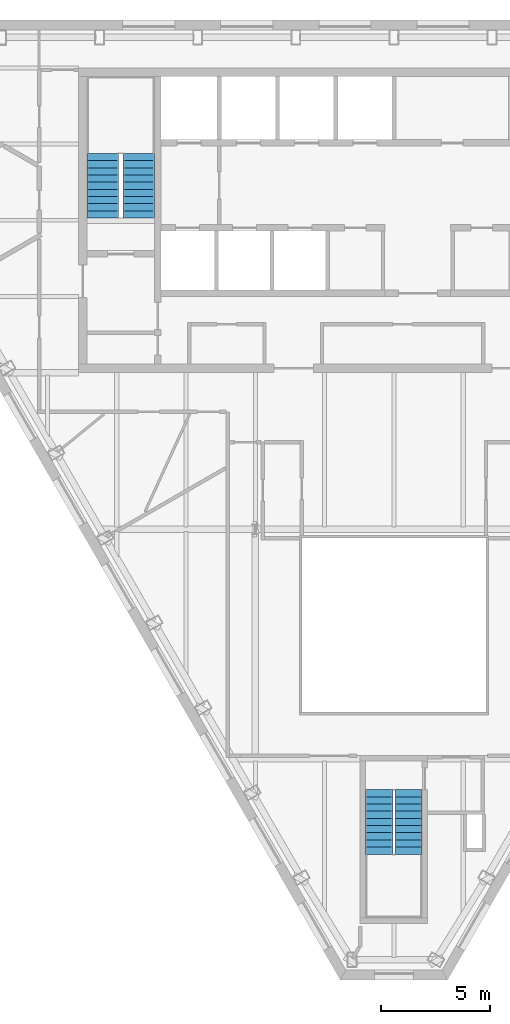
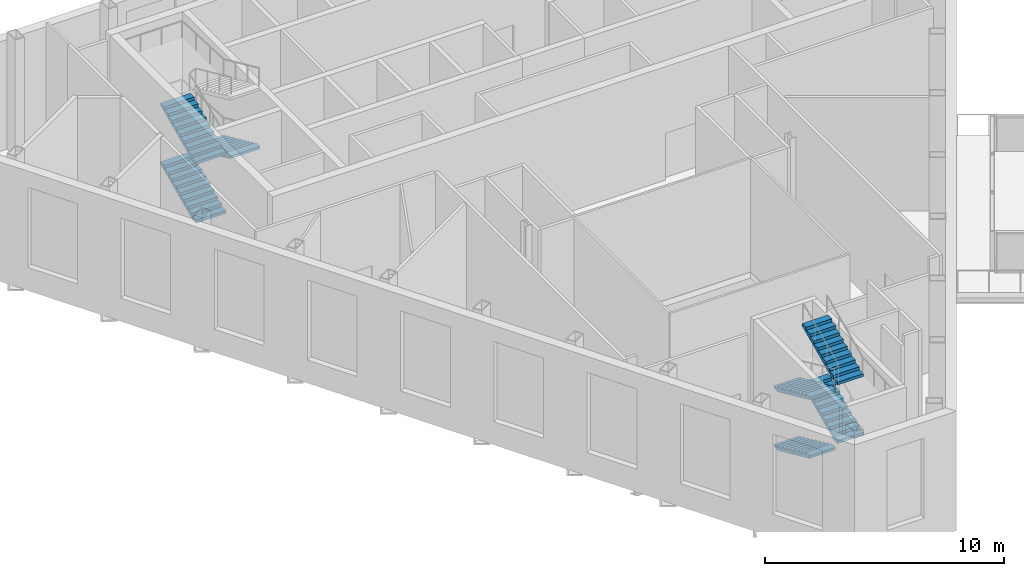
# One storey, part 9 of 11: 7 stair flights, 2 elements without a shape of their own.
"""IFC4 building model written with IfcOpenShell, lengths in metres."""

from ifc_helpers import new_model, si_unit, direction, frame, origin, place, context, subcontext, project, spatial, polygons, material, type_object, element, aggregate, save


model = new_model("IFC4")

# Units and contexts
model_context = context("Model", 3, precision=1e-05, world=origin(), true_north=direction((0.0, 1.0)))
body_context = subcontext(model_context, "Body", "Model", "MODEL_VIEW")
ifc_project = project(units=[si_unit("LENGTHUNIT", "METRE"), si_unit("AREAUNIT", "SQUARE_METRE"), si_unit("VOLUMEUNIT", "CUBIC_METRE"), si_unit("PLANEANGLEUNIT", "RADIAN"), si_unit("MASSUNIT", "GRAM", prefix="KILO")], contexts=[model_context])

# Site, building, storey
site_placement = place(None, origin())
site = spatial("IfcSite", under=ifc_project, at=site_placement, CompositionType="ELEMENT")
building_placement = place(site_placement, origin())
building = spatial("IfcBuilding", under=site, at=building_placement, Name="Njiva Tower", CompositionType="ELEMENT")
storey_placement = place(building_placement, frame((0.0, 0.0, 298.2)))
storey = spatial("IfcBuildingStorey", under=building, at=storey_placement, Name="L68", CompositionType="ELEMENT", Elevation=298.2)

# Stair, stair flights
ifc_material = material(Name="Concrete C40/50", Category="concrete")
stair_type_1 = type_object("IfcStairType", Name="ST1 Exit stair 1250", PredefinedType="HALF_TURN_STAIR", material=ifc_material)
stair_1_placement = place(storey_placement, origin())
stair_1 = element("IfcStair", 1, at=stair_1_placement, inside=storey, type_object=stair_type_1, Name="Stair C", PredefinedType="DOUBLE_RETURN_STAIR")
stair_flight_type_1 = type_object("IfcStairFlightType", Name="FL1 Stair flight 1250", PredefinedType="STRAIGHT", material=ifc_material)
stair_flight_1_placement = place(storey_placement, frame((-0.675, -15.16, 0.0), z_axis=(0.0, 0.0, 1.0), x_axis=(0.0, -1.0, 0.0)))
stair_flight_1 = element("IfcStairFlight", 2, at=stair_flight_1_placement, type_object=stair_flight_type_1, Name="ST-C flight 1", NumberOfRisers=10, NumberOfTreads=9, PredefinedType="STRAIGHT", RiserHeight=0.15, TreadLength=0.33, context=body_context, shape_type="Tessellation", body=[
    polygons([(0.0, 0.625, 0.0), (0.0, 0.3125, 0.0), (0.0, 0.0, 0.0), (0.0, -0.3125, 0.0), (0.0, -0.625, 0.0), (0.0, 0.625, 0.15), (0.0, 0.3125, 0.15), (0.0, 0.0, 0.15), (0.0, -0.3125, 0.15), (0.0, -0.625, 0.15), (0.33, 0.625, 0.15), (0.33, 0.3125, 0.15), (0.33, 0.0, 0.15), (0.33, -0.3125, 0.15), (0.33, -0.625, 0.15), (0.33, 0.625, 0.3), (0.33, 0.3125, 0.3), (0.33, 0.0, 0.3), (0.33, -0.3125, 0.3), (0.33, -0.625, 0.3), (0.66, 0.625, 0.3), (0.66, 0.3125, 0.3), (0.66, 0.0, 0.3), (0.66, -0.3125, 0.3), (0.66, -0.625, 0.3), (0.66, 0.625, 0.45), (0.66, 0.3125, 0.45), (0.66, 0.0, 0.45), (0.66, -0.3125, 0.45), (0.66, -0.625, 0.45), (0.99, 0.625, 0.45), (0.99, 0.3125, 0.45), (0.99, 0.0, 0.45), (0.99, -0.3125, 0.45), (0.99, -0.625, 0.45), (0.99, 0.625, 0.6), (0.99, 0.3125, 0.6), (0.99, 0.0, 0.6), (0.99, -0.3125, 0.6), (0.99, -0.625, 0.6), (1.32, 0.625, 0.6), (1.32, 0.3125, 0.6), (1.32, 0.0, 0.6), (1.32, -0.3125, 0.6), (1.32, -0.625, 0.6), (1.32, 0.625, 0.75), (1.32, 0.3125, 0.75), (1.32, 0.0, 0.75), (1.32, -0.3125, 0.75), (1.32, -0.625, 0.75), (1.65, 0.625, 0.75), (1.65, 0.3125, 0.75), (1.65, 0.0, 0.75), (1.65, -0.3125, 0.75), (1.65, -0.625, 0.75), (1.65, 0.625, 0.9), (1.65, 0.3125, 0.9), (1.65, 0.0, 0.9), (1.65, -0.3125, 0.9), (1.65, -0.625, 0.9), (1.98, 0.625, 0.9), (1.98, 0.3125, 0.9), (1.98, 0.0, 0.9), (1.98, -0.3125, 0.9), (1.98, -0.625, 0.9), (1.98, 0.625, 1.05), (1.98, 0.3125, 1.05), (1.98, 0.0, 1.05), (1.98, -0.3125, 1.05), (1.98, -0.625, 1.05), (2.31, 0.625, 1.05), (2.31, 0.3125, 1.05), (2.31, 0.0, 1.05), (2.31, -0.3125, 1.05), (2.31, -0.625, 1.05), (2.31, 0.625, 1.2), (2.31, 0.3125, 1.2), (2.31, 0.0, 1.2), (2.31, -0.3125, 1.2), (2.31, -0.625, 1.2), (2.64, 0.625, 1.2), (2.64, 0.3125, 1.2), (2.64, 0.0, 1.2), (2.64, -0.3125, 1.2), (2.64, -0.625, 1.2), (2.64, 0.625, 1.35), (2.64, 0.3125, 1.35), (2.64, 0.0, 1.35), (2.64, -0.3125, 1.35), (2.64, -0.625, 1.35), (2.97, 0.625, 1.35), (2.97, 0.3125, 1.35), (2.97, 0.0, 1.35), (2.97, -0.3125, 1.35), (2.97, -0.625, 1.35), (2.97, 0.625, 1.2182), (2.97, 0.3125, 1.2182), (2.97, 0.0, 1.2182), (2.97, -0.3125, 1.2182), (2.97, -0.625, 1.2182), (0.29, 0.625, 0.0), (0.29, 0.3125, 0.0), (0.29, 0.0, 0.0), (0.29, -0.3125, 0.0), (0.29, -0.625, 0.0)], [[[1, 6, 11, 16, 21, 26, 31, 36, 41, 46, 51, 56, 61, 66, 71, 76, 81, 86, 91, 96, 101]], [[105, 100, 95, 90, 85, 80, 75, 70, 65, 60, 55, 50, 45, 40, 35, 30, 25, 20, 15, 10, 5]], [[6, 1, 2, 7]], [[7, 2, 3, 8]], [[8, 3, 4, 9]], [[9, 4, 5, 10]], [[11, 6, 7, 12]], [[12, 7, 8, 13]], [[13, 8, 9, 14]], [[14, 9, 10, 15]], [[16, 11, 12, 17]], [[17, 12, 13, 18]], [[18, 13, 14, 19]], [[19, 14, 15, 20]], [[21, 16, 17, 22]], [[22, 17, 18, 23]], [[23, 18, 19, 24]], [[24, 19, 20, 25]], [[26, 21, 22, 27]], [[27, 22, 23, 28]], [[28, 23, 24, 29]], [[29, 24, 25, 30]], [[31, 26, 27, 32]], [[32, 27, 28, 33]], [[33, 28, 29, 34]], [[34, 29, 30, 35]], [[36, 31, 32, 37]], [[37, 32, 33, 38]], [[38, 33, 34, 39]], [[39, 34, 35, 40]], [[41, 36, 37, 42]], [[42, 37, 38, 43]], [[43, 38, 39, 44]], [[44, 39, 40, 45]], [[46, 41, 42, 47]], [[47, 42, 43, 48]], [[48, 43, 44, 49]], [[49, 44, 45, 50]], [[51, 46, 47, 52]], [[52, 47, 48, 53]], [[53, 48, 49, 54]], [[54, 49, 50, 55]], [[56, 51, 52, 57]], [[57, 52, 53, 58]], [[58, 53, 54, 59]], [[59, 54, 55, 60]], [[61, 56, 57, 62]], [[62, 57, 58, 63]], [[63, 58, 59, 64]], [[64, 59, 60, 65]], [[66, 61, 62, 67]], [[67, 62, 63, 68]], [[68, 63, 64, 69]], [[69, 64, 65, 70]], [[71, 66, 67, 72]], [[72, 67, 68, 73]], [[73, 68, 69, 74]], [[74, 69, 70, 75]], [[76, 71, 72, 77]], [[77, 72, 73, 78]], [[78, 73, 74, 79]], [[79, 74, 75, 80]], [[81, 76, 77, 82]], [[82, 77, 78, 83]], [[83, 78, 79, 84]], [[84, 79, 80, 85]], [[86, 81, 82, 87]], [[87, 82, 83, 88]], [[88, 83, 84, 89]], [[89, 84, 85, 90]], [[91, 86, 87, 92]], [[92, 87, 88, 93]], [[93, 88, 89, 94]], [[94, 89, 90, 95]], [[96, 91, 92, 97]], [[97, 92, 93, 98]], [[98, 93, 94, 99]], [[99, 94, 95, 100]], [[101, 96, 97, 102]], [[102, 97, 98, 103]], [[103, 98, 99, 104]], [[104, 99, 100, 105]], [[1, 101, 102, 2]], [[2, 102, 103, 3]], [[3, 103, 104, 4]], [[4, 104, 105, 5]]], closed=True),
])
stair_flight_2_placement = place(storey_placement, frame((0.675, -18.13, 1.5), z_axis=(0.0, 0.0, 1.0), x_axis=(0.0, 1.0, 0.0)))
stair_flight_2 = element("IfcStairFlight", 3, at=stair_flight_2_placement, type_object=stair_flight_type_1, Name="ST-C flight 2", NumberOfRisers=10, NumberOfTreads=9, PredefinedType="STRAIGHT", RiserHeight=0.15, TreadLength=0.33, context=body_context, shape_type="Tessellation", body=[
    polygons([(0.0, 0.625, 0.0), (0.0, 0.3125, 0.0), (0.0, 0.0, 0.0), (0.0, -0.3125, 0.0), (0.0, -0.625, 0.0), (0.0, 0.625, 0.15), (0.0, 0.3125, 0.15), (0.0, 0.0, 0.15), (0.0, -0.3125, 0.15), (0.0, -0.625, 0.15), (0.33, 0.625, 0.15), (0.33, 0.3125, 0.15), (0.33, 0.0, 0.15), (0.33, -0.3125, 0.15), (0.33, -0.625, 0.15), (0.33, 0.625, 0.3), (0.33, 0.3125, 0.3), (0.33, 0.0, 0.3), (0.33, -0.3125, 0.3), (0.33, -0.625, 0.3), (0.66, 0.625, 0.3), (0.66, 0.3125, 0.3), (0.66, 0.0, 0.3), (0.66, -0.3125, 0.3), (0.66, -0.625, 0.3), (0.66, 0.625, 0.45), (0.66, 0.3125, 0.45), (0.66, 0.0, 0.45), (0.66, -0.3125, 0.45), (0.66, -0.625, 0.45), (0.99, 0.625, 0.45), (0.99, 0.3125, 0.45), (0.99, 0.0, 0.45), (0.99, -0.3125, 0.45), (0.99, -0.625, 0.45), (0.99, 0.625, 0.6), (0.99, 0.3125, 0.6), (0.99, 0.0, 0.6), (0.99, -0.3125, 0.6), (0.99, -0.625, 0.6), (1.32, 0.625, 0.6), (1.32, 0.3125, 0.6), (1.32, 0.0, 0.6), (1.32, -0.3125, 0.6), (1.32, -0.625, 0.6), (1.32, 0.625, 0.75), (1.32, 0.3125, 0.75), (1.32, 0.0, 0.75), (1.32, -0.3125, 0.75), (1.32, -0.625, 0.75), (1.65, 0.625, 0.75), (1.65, 0.3125, 0.75), (1.65, 0.0, 0.75), (1.65, -0.3125, 0.75), (1.65, -0.625, 0.75), (1.65, 0.625, 0.9), (1.65, 0.3125, 0.9), (1.65, 0.0, 0.9), (1.65, -0.3125, 0.9), (1.65, -0.625, 0.9), (1.98, 0.625, 0.9), (1.98, 0.3125, 0.9), (1.98, 0.0, 0.9), (1.98, -0.3125, 0.9), (1.98, -0.625, 0.9), (1.98, 0.625, 1.05), (1.98, 0.3125, 1.05), (1.98, 0.0, 1.05), (1.98, -0.3125, 1.05), (1.98, -0.625, 1.05), (2.31, 0.625, 1.05), (2.31, 0.3125, 1.05), (2.31, 0.0, 1.05), (2.31, -0.3125, 1.05), (2.31, -0.625, 1.05), (2.31, 0.625, 1.2), (2.31, 0.3125, 1.2), (2.31, 0.0, 1.2), (2.31, -0.3125, 1.2), (2.31, -0.625, 1.2), (2.64, 0.625, 1.2), (2.64, 0.3125, 1.2), (2.64, 0.0, 1.2), (2.64, -0.3125, 1.2), (2.64, -0.625, 1.2), (2.64, 0.625, 1.35), (2.64, 0.3125, 1.35), (2.64, 0.0, 1.35), (2.64, -0.3125, 1.35), (2.64, -0.625, 1.35), (2.97, 0.625, 1.35), (2.97, 0.3125, 1.35), (2.97, 0.0, 1.35), (2.97, -0.3125, 1.35), (2.97, -0.625, 1.35), (2.97, 0.625, 1.2182), (2.97, 0.3125, 1.2182), (2.97, 0.0, 1.2182), (2.97, -0.3125, 1.2182), (2.97, -0.625, 1.2182), (0.29, 0.625, 0.0), (0.29, 0.3125, 0.0), (0.29, 0.0, 0.0), (0.29, -0.3125, 0.0), (0.29, -0.625, 0.0)], [[[1, 6, 11, 16, 21, 26, 31, 36, 41, 46, 51, 56, 61, 66, 71, 76, 81, 86, 91, 96, 101]], [[105, 100, 95, 90, 85, 80, 75, 70, 65, 60, 55, 50, 45, 40, 35, 30, 25, 20, 15, 10, 5]], [[6, 1, 2, 7]], [[7, 2, 3, 8]], [[8, 3, 4, 9]], [[9, 4, 5, 10]], [[11, 6, 7, 12]], [[12, 7, 8, 13]], [[13, 8, 9, 14]], [[14, 9, 10, 15]], [[16, 11, 12, 17]], [[17, 12, 13, 18]], [[18, 13, 14, 19]], [[19, 14, 15, 20]], [[21, 16, 17, 22]], [[22, 17, 18, 23]], [[23, 18, 19, 24]], [[24, 19, 20, 25]], [[26, 21, 22, 27]], [[27, 22, 23, 28]], [[28, 23, 24, 29]], [[29, 24, 25, 30]], [[31, 26, 27, 32]], [[32, 27, 28, 33]], [[33, 28, 29, 34]], [[34, 29, 30, 35]], [[36, 31, 32, 37]], [[37, 32, 33, 38]], [[38, 33, 34, 39]], [[39, 34, 35, 40]], [[41, 36, 37, 42]], [[42, 37, 38, 43]], [[43, 38, 39, 44]], [[44, 39, 40, 45]], [[46, 41, 42, 47]], [[47, 42, 43, 48]], [[48, 43, 44, 49]], [[49, 44, 45, 50]], [[51, 46, 47, 52]], [[52, 47, 48, 53]], [[53, 48, 49, 54]], [[54, 49, 50, 55]], [[56, 51, 52, 57]], [[57, 52, 53, 58]], [[58, 53, 54, 59]], [[59, 54, 55, 60]], [[61, 56, 57, 62]], [[62, 57, 58, 63]], [[63, 58, 59, 64]], [[64, 59, 60, 65]], [[66, 61, 62, 67]], [[67, 62, 63, 68]], [[68, 63, 64, 69]], [[69, 64, 65, 70]], [[71, 66, 67, 72]], [[72, 67, 68, 73]], [[73, 68, 69, 74]], [[74, 69, 70, 75]], [[76, 71, 72, 77]], [[77, 72, 73, 78]], [[78, 73, 74, 79]], [[79, 74, 75, 80]], [[81, 76, 77, 82]], [[82, 77, 78, 83]], [[83, 78, 79, 84]], [[84, 79, 80, 85]], [[86, 81, 82, 87]], [[87, 82, 83, 88]], [[88, 83, 84, 89]], [[89, 84, 85, 90]], [[91, 86, 87, 92]], [[92, 87, 88, 93]], [[93, 88, 89, 94]], [[94, 89, 90, 95]], [[96, 91, 92, 97]], [[97, 92, 93, 98]], [[98, 93, 94, 99]], [[99, 94, 95, 100]], [[101, 96, 97, 102]], [[102, 97, 98, 103]], [[103, 98, 99, 104]], [[104, 99, 100, 105]], [[1, 101, 102, 2]], [[2, 102, 103, 3]], [[3, 103, 104, 4]], [[4, 104, 105, 5]]], closed=True),
])
stair_flight_3_placement = place(storey_placement, frame((-0.675, -15.16, 3.0), z_axis=(0.0, 0.0, 1.0), x_axis=(0.0, -1.0, 0.0)))
stair_flight_3 = element("IfcStairFlight", 4, at=stair_flight_3_placement, type_object=stair_flight_type_1, Name="ST-C flight 3", NumberOfRisers=10, NumberOfTreads=9, PredefinedType="STRAIGHT", RiserHeight=0.15, TreadLength=0.33, context=body_context, shape_type="Tessellation", body=[
    polygons([(0.0, 0.625, 0.0), (0.0, 0.3125, 0.0), (0.0, 0.0, 0.0), (0.0, -0.3125, 0.0), (0.0, -0.625, 0.0), (0.0, 0.625, 0.15), (0.0, 0.3125, 0.15), (0.0, 0.0, 0.15), (0.0, -0.3125, 0.15), (0.0, -0.625, 0.15), (0.33, 0.625, 0.15), (0.33, 0.3125, 0.15), (0.33, 0.0, 0.15), (0.33, -0.3125, 0.15), (0.33, -0.625, 0.15), (0.33, 0.625, 0.3), (0.33, 0.3125, 0.3), (0.33, 0.0, 0.3), (0.33, -0.3125, 0.3), (0.33, -0.625, 0.3), (0.66, 0.625, 0.3), (0.66, 0.3125, 0.3), (0.66, 0.0, 0.3), (0.66, -0.3125, 0.3), (0.66, -0.625, 0.3), (0.66, 0.625, 0.45), (0.66, 0.3125, 0.45), (0.66, 0.0, 0.45), (0.66, -0.3125, 0.45), (0.66, -0.625, 0.45), (0.99, 0.625, 0.45), (0.99, 0.3125, 0.45), (0.99, 0.0, 0.45), (0.99, -0.3125, 0.45), (0.99, -0.625, 0.45), (0.99, 0.625, 0.6), (0.99, 0.3125, 0.6), (0.99, 0.0, 0.6), (0.99, -0.3125, 0.6), (0.99, -0.625, 0.6), (1.32, 0.625, 0.6), (1.32, 0.3125, 0.6), (1.32, 0.0, 0.6), (1.32, -0.3125, 0.6), (1.32, -0.625, 0.6), (1.32, 0.625, 0.75), (1.32, 0.3125, 0.75), (1.32, 0.0, 0.75), (1.32, -0.3125, 0.75), (1.32, -0.625, 0.75), (1.65, 0.625, 0.75), (1.65, 0.3125, 0.75), (1.65, 0.0, 0.75), (1.65, -0.3125, 0.75), (1.65, -0.625, 0.75), (1.65, 0.625, 0.9), (1.65, 0.3125, 0.9), (1.65, 0.0, 0.9), (1.65, -0.3125, 0.9), (1.65, -0.625, 0.9), (1.98, 0.625, 0.9), (1.98, 0.3125, 0.9), (1.98, 0.0, 0.9), (1.98, -0.3125, 0.9), (1.98, -0.625, 0.9), (1.98, 0.625, 1.05), (1.98, 0.3125, 1.05), (1.98, 0.0, 1.05), (1.98, -0.3125, 1.05), (1.98, -0.625, 1.05), (2.31, 0.625, 1.05), (2.31, 0.3125, 1.05), (2.31, 0.0, 1.05), (2.31, -0.3125, 1.05), (2.31, -0.625, 1.05), (2.31, 0.625, 1.2), (2.31, 0.3125, 1.2), (2.31, 0.0, 1.2), (2.31, -0.3125, 1.2), (2.31, -0.625, 1.2), (2.64, 0.625, 1.2), (2.64, 0.3125, 1.2), (2.64, 0.0, 1.2), (2.64, -0.3125, 1.2), (2.64, -0.625, 1.2), (2.64, 0.625, 1.35), (2.64, 0.3125, 1.35), (2.64, 0.0, 1.35), (2.64, -0.3125, 1.35), (2.64, -0.625, 1.35), (2.97, 0.625, 1.35), (2.97, 0.3125, 1.35), (2.97, 0.0, 1.35), (2.97, -0.3125, 1.35), (2.97, -0.625, 1.35), (2.97, 0.625, 1.2182), (2.97, 0.3125, 1.2182), (2.97, 0.0, 1.2182), (2.97, -0.3125, 1.2182), (2.97, -0.625, 1.2182), (0.29, 0.625, 0.0), (0.29, 0.3125, 0.0), (0.29, 0.0, 0.0), (0.29, -0.3125, 0.0), (0.29, -0.625, 0.0)], [[[1, 6, 11, 16, 21, 26, 31, 36, 41, 46, 51, 56, 61, 66, 71, 76, 81, 86, 91, 96, 101]], [[105, 100, 95, 90, 85, 80, 75, 70, 65, 60, 55, 50, 45, 40, 35, 30, 25, 20, 15, 10, 5]], [[6, 1, 2, 7]], [[7, 2, 3, 8]], [[8, 3, 4, 9]], [[9, 4, 5, 10]], [[11, 6, 7, 12]], [[12, 7, 8, 13]], [[13, 8, 9, 14]], [[14, 9, 10, 15]], [[16, 11, 12, 17]], [[17, 12, 13, 18]], [[18, 13, 14, 19]], [[19, 14, 15, 20]], [[21, 16, 17, 22]], [[22, 17, 18, 23]], [[23, 18, 19, 24]], [[24, 19, 20, 25]], [[26, 21, 22, 27]], [[27, 22, 23, 28]], [[28, 23, 24, 29]], [[29, 24, 25, 30]], [[31, 26, 27, 32]], [[32, 27, 28, 33]], [[33, 28, 29, 34]], [[34, 29, 30, 35]], [[36, 31, 32, 37]], [[37, 32, 33, 38]], [[38, 33, 34, 39]], [[39, 34, 35, 40]], [[41, 36, 37, 42]], [[42, 37, 38, 43]], [[43, 38, 39, 44]], [[44, 39, 40, 45]], [[46, 41, 42, 47]], [[47, 42, 43, 48]], [[48, 43, 44, 49]], [[49, 44, 45, 50]], [[51, 46, 47, 52]], [[52, 47, 48, 53]], [[53, 48, 49, 54]], [[54, 49, 50, 55]], [[56, 51, 52, 57]], [[57, 52, 53, 58]], [[58, 53, 54, 59]], [[59, 54, 55, 60]], [[61, 56, 57, 62]], [[62, 57, 58, 63]], [[63, 58, 59, 64]], [[64, 59, 60, 65]], [[66, 61, 62, 67]], [[67, 62, 63, 68]], [[68, 63, 64, 69]], [[69, 64, 65, 70]], [[71, 66, 67, 72]], [[72, 67, 68, 73]], [[73, 68, 69, 74]], [[74, 69, 70, 75]], [[76, 71, 72, 77]], [[77, 72, 73, 78]], [[78, 73, 74, 79]], [[79, 74, 75, 80]], [[81, 76, 77, 82]], [[82, 77, 78, 83]], [[83, 78, 79, 84]], [[84, 79, 80, 85]], [[86, 81, 82, 87]], [[87, 82, 83, 88]], [[88, 83, 84, 89]], [[89, 84, 85, 90]], [[91, 86, 87, 92]], [[92, 87, 88, 93]], [[93, 88, 89, 94]], [[94, 89, 90, 95]], [[96, 91, 92, 97]], [[97, 92, 93, 98]], [[98, 93, 94, 99]], [[99, 94, 95, 100]], [[101, 96, 97, 102]], [[102, 97, 98, 103]], [[103, 98, 99, 104]], [[104, 99, 100, 105]], [[1, 101, 102, 2]], [[2, 102, 103, 3]], [[3, 103, 104, 4]], [[4, 104, 105, 5]]], closed=True),
])
stair_flight_4_placement = place(storey_placement, frame((0.675, -18.13, 4.5), z_axis=(0.0, 0.0, 1.0), x_axis=(0.0, 1.0, 0.0)))
stair_flight_4 = element("IfcStairFlight", 5, at=stair_flight_4_placement, type_object=stair_flight_type_1, Name="ST-C flight 4", NumberOfRisers=10, NumberOfTreads=9, PredefinedType="STRAIGHT", RiserHeight=0.15, TreadLength=0.33, context=body_context, shape_type="Tessellation", body=[
    polygons([(0.0, 0.625, 0.0), (0.0, 0.3125, 0.0), (0.0, 0.0, 0.0), (0.0, -0.3125, 0.0), (0.0, -0.625, 0.0), (0.0, 0.625, 0.15), (0.0, 0.3125, 0.15), (0.0, 0.0, 0.15), (0.0, -0.3125, 0.15), (0.0, -0.625, 0.15), (0.33, 0.625, 0.15), (0.33, 0.3125, 0.15), (0.33, 0.0, 0.15), (0.33, -0.3125, 0.15), (0.33, -0.625, 0.15), (0.33, 0.625, 0.3), (0.33, 0.3125, 0.3), (0.33, 0.0, 0.3), (0.33, -0.3125, 0.3), (0.33, -0.625, 0.3), (0.66, 0.625, 0.3), (0.66, 0.3125, 0.3), (0.66, 0.0, 0.3), (0.66, -0.3125, 0.3), (0.66, -0.625, 0.3), (0.66, 0.625, 0.45), (0.66, 0.3125, 0.45), (0.66, 0.0, 0.45), (0.66, -0.3125, 0.45), (0.66, -0.625, 0.45), (0.99, 0.625, 0.45), (0.99, 0.3125, 0.45), (0.99, 0.0, 0.45), (0.99, -0.3125, 0.45), (0.99, -0.625, 0.45), (0.99, 0.625, 0.6), (0.99, 0.3125, 0.6), (0.99, 0.0, 0.6), (0.99, -0.3125, 0.6), (0.99, -0.625, 0.6), (1.32, 0.625, 0.6), (1.32, 0.3125, 0.6), (1.32, 0.0, 0.6), (1.32, -0.3125, 0.6), (1.32, -0.625, 0.6), (1.32, 0.625, 0.75), (1.32, 0.3125, 0.75), (1.32, 0.0, 0.75), (1.32, -0.3125, 0.75), (1.32, -0.625, 0.75), (1.65, 0.625, 0.75), (1.65, 0.3125, 0.75), (1.65, 0.0, 0.75), (1.65, -0.3125, 0.75), (1.65, -0.625, 0.75), (1.65, 0.625, 0.9), (1.65, 0.3125, 0.9), (1.65, 0.0, 0.9), (1.65, -0.3125, 0.9), (1.65, -0.625, 0.9), (1.98, 0.625, 0.9), (1.98, 0.3125, 0.9), (1.98, 0.0, 0.9), (1.98, -0.3125, 0.9), (1.98, -0.625, 0.9), (1.98, 0.625, 1.05), (1.98, 0.3125, 1.05), (1.98, 0.0, 1.05), (1.98, -0.3125, 1.05), (1.98, -0.625, 1.05), (2.31, 0.625, 1.05), (2.31, 0.3125, 1.05), (2.31, 0.0, 1.05), (2.31, -0.3125, 1.05), (2.31, -0.625, 1.05), (2.31, 0.625, 1.2), (2.31, 0.3125, 1.2), (2.31, 0.0, 1.2), (2.31, -0.3125, 1.2), (2.31, -0.625, 1.2), (2.64, 0.625, 1.2), (2.64, 0.3125, 1.2), (2.64, 0.0, 1.2), (2.64, -0.3125, 1.2), (2.64, -0.625, 1.2), (2.64, 0.625, 1.35), (2.64, 0.3125, 1.35), (2.64, 0.0, 1.35), (2.64, -0.3125, 1.35), (2.64, -0.625, 1.35), (2.97, 0.625, 1.35), (2.97, 0.3125, 1.35), (2.97, 0.0, 1.35), (2.97, -0.3125, 1.35), (2.97, -0.625, 1.35), (2.97, 0.625, 1.2182), (2.97, 0.3125, 1.2182), (2.97, 0.0, 1.2182), (2.97, -0.3125, 1.2182), (2.97, -0.625, 1.2182), (0.29, 0.625, 0.0), (0.29, 0.3125, 0.0), (0.29, 0.0, 0.0), (0.29, -0.3125, 0.0), (0.29, -0.625, 0.0)], [[[1, 6, 11, 16, 21, 26, 31, 36, 41, 46, 51, 56, 61, 66, 71, 76, 81, 86, 91, 96, 101]], [[105, 100, 95, 90, 85, 80, 75, 70, 65, 60, 55, 50, 45, 40, 35, 30, 25, 20, 15, 10, 5]], [[6, 1, 2, 7]], [[7, 2, 3, 8]], [[8, 3, 4, 9]], [[9, 4, 5, 10]], [[11, 6, 7, 12]], [[12, 7, 8, 13]], [[13, 8, 9, 14]], [[14, 9, 10, 15]], [[16, 11, 12, 17]], [[17, 12, 13, 18]], [[18, 13, 14, 19]], [[19, 14, 15, 20]], [[21, 16, 17, 22]], [[22, 17, 18, 23]], [[23, 18, 19, 24]], [[24, 19, 20, 25]], [[26, 21, 22, 27]], [[27, 22, 23, 28]], [[28, 23, 24, 29]], [[29, 24, 25, 30]], [[31, 26, 27, 32]], [[32, 27, 28, 33]], [[33, 28, 29, 34]], [[34, 29, 30, 35]], [[36, 31, 32, 37]], [[37, 32, 33, 38]], [[38, 33, 34, 39]], [[39, 34, 35, 40]], [[41, 36, 37, 42]], [[42, 37, 38, 43]], [[43, 38, 39, 44]], [[44, 39, 40, 45]], [[46, 41, 42, 47]], [[47, 42, 43, 48]], [[48, 43, 44, 49]], [[49, 44, 45, 50]], [[51, 46, 47, 52]], [[52, 47, 48, 53]], [[53, 48, 49, 54]], [[54, 49, 50, 55]], [[56, 51, 52, 57]], [[57, 52, 53, 58]], [[58, 53, 54, 59]], [[59, 54, 55, 60]], [[61, 56, 57, 62]], [[62, 57, 58, 63]], [[63, 58, 59, 64]], [[64, 59, 60, 65]], [[66, 61, 62, 67]], [[67, 62, 63, 68]], [[68, 63, 64, 69]], [[69, 64, 65, 70]], [[71, 66, 67, 72]], [[72, 67, 68, 73]], [[73, 68, 69, 74]], [[74, 69, 70, 75]], [[76, 71, 72, 77]], [[77, 72, 73, 78]], [[78, 73, 74, 79]], [[79, 74, 75, 80]], [[81, 76, 77, 82]], [[82, 77, 78, 83]], [[83, 78, 79, 84]], [[84, 79, 80, 85]], [[86, 81, 82, 87]], [[87, 82, 83, 88]], [[88, 83, 84, 89]], [[89, 84, 85, 90]], [[91, 86, 87, 92]], [[92, 87, 88, 93]], [[93, 88, 89, 94]], [[94, 89, 90, 95]], [[96, 91, 92, 97]], [[97, 92, 93, 98]], [[98, 93, 94, 99]], [[99, 94, 95, 100]], [[101, 96, 97, 102]], [[102, 97, 98, 103]], [[103, 98, 99, 104]], [[104, 99, 100, 105]], [[1, 101, 102, 2]], [[2, 102, 103, 3]], [[3, 103, 104, 4]], [[4, 104, 105, 5]]], closed=True),
])
aggregate(stair_1, [stair_flight_1, stair_flight_2, stair_flight_3, stair_flight_4])

stair_type_2 = type_object("IfcStairType", Name="ST3 Exit stair 1450", PredefinedType="HALF_TURN_STAIR", material=ifc_material)
stair_2_placement = place(storey_placement, origin())
stair_2 = element("IfcStair", 6, at=stair_2_placement, inside=storey, type_object=stair_type_2, Name="Stair A", PredefinedType="DOUBLE_RETURN_STAIR")
stair_flight_type_2 = type_object("IfcStairFlightType", Name="FL3 Stair flight 1450", PredefinedType="STRAIGHT", material=ifc_material)
stair_flight_5_placement = place(storey_placement, frame((-13.375, 11.1, 0.0), z_axis=(0.0, 0.0, 1.0), x_axis=(0.0, 1.0, 0.0)))
stair_flight_5 = element("IfcStairFlight", 7, at=stair_flight_5_placement, type_object=stair_flight_type_2, Name="ST-A flight 1", NumberOfRisers=10, NumberOfTreads=9, PredefinedType="STRAIGHT", RiserHeight=0.15, TreadLength=0.33, context=body_context, shape_type="Tessellation", body=[
    polygons([(0.0, 0.725, 0.0), (0.0, 0.3625, 0.0), (0.0, 0.0, 0.0), (0.0, -0.3625, 0.0), (0.0, -0.725, 0.0), (0.0, 0.725, 0.15), (0.0, 0.3625, 0.15), (0.0, 0.0, 0.15), (0.0, -0.3625, 0.15), (0.0, -0.725, 0.15), (0.33, 0.725, 0.15), (0.33, 0.3625, 0.15), (0.33, 0.0, 0.15), (0.33, -0.3625, 0.15), (0.33, -0.725, 0.15), (0.33, 0.725, 0.3), (0.33, 0.3625, 0.3), (0.33, 0.0, 0.3), (0.33, -0.3625, 0.3), (0.33, -0.725, 0.3), (0.66, 0.725, 0.3), (0.66, 0.3625, 0.3), (0.66, 0.0, 0.3), (0.66, -0.3625, 0.3), (0.66, -0.725, 0.3), (0.66, 0.725, 0.45), (0.66, 0.3625, 0.45), (0.66, 0.0, 0.45), (0.66, -0.3625, 0.45), (0.66, -0.725, 0.45), (0.99, 0.725, 0.45), (0.99, 0.3625, 0.45), (0.99, 0.0, 0.45), (0.99, -0.3625, 0.45), (0.99, -0.725, 0.45), (0.99, 0.725, 0.6), (0.99, 0.3625, 0.6), (0.99, 0.0, 0.6), (0.99, -0.3625, 0.6), (0.99, -0.725, 0.6), (1.32, 0.725, 0.6), (1.32, 0.3625, 0.6), (1.32, 0.0, 0.6), (1.32, -0.3625, 0.6), (1.32, -0.725, 0.6), (1.32, 0.725, 0.75), (1.32, 0.3625, 0.75), (1.32, 0.0, 0.75), (1.32, -0.3625, 0.75), (1.32, -0.725, 0.75), (1.65, 0.725, 0.75), (1.65, 0.3625, 0.75), (1.65, 0.0, 0.75), (1.65, -0.3625, 0.75), (1.65, -0.725, 0.75), (1.65, 0.725, 0.9), (1.65, 0.3625, 0.9), (1.65, 0.0, 0.9), (1.65, -0.3625, 0.9), (1.65, -0.725, 0.9), (1.98, 0.725, 0.9), (1.98, 0.3625, 0.9), (1.98, 0.0, 0.9), (1.98, -0.3625, 0.9), (1.98, -0.725, 0.9), (1.98, 0.725, 1.05), (1.98, 0.3625, 1.05), (1.98, 0.0, 1.05), (1.98, -0.3625, 1.05), (1.98, -0.725, 1.05), (2.31, 0.725, 1.05), (2.31, 0.3625, 1.05), (2.31, 0.0, 1.05), (2.31, -0.3625, 1.05), (2.31, -0.725, 1.05), (2.31, 0.725, 1.2), (2.31, 0.3625, 1.2), (2.31, 0.0, 1.2), (2.31, -0.3625, 1.2), (2.31, -0.725, 1.2), (2.64, 0.725, 1.2), (2.64, 0.3625, 1.2), (2.64, 0.0, 1.2), (2.64, -0.3625, 1.2), (2.64, -0.725, 1.2), (2.64, 0.725, 1.35), (2.64, 0.3625, 1.35), (2.64, 0.0, 1.35), (2.64, -0.3625, 1.35), (2.64, -0.725, 1.35), (2.97, 0.725, 1.35), (2.97, 0.3625, 1.35), (2.97, 0.0, 1.35), (2.97, -0.3625, 1.35), (2.97, -0.725, 1.35), (2.97, 0.725, 1.2182), (2.97, 0.3625, 1.2182), (2.97, 0.0, 1.2182), (2.97, -0.3625, 1.2182), (2.97, -0.725, 1.2182), (0.29, 0.725, 0.0), (0.29, 0.3625, 0.0), (0.29, 0.0, 0.0), (0.29, -0.3625, 0.0), (0.29, -0.725, 0.0)], [[[1, 6, 11, 16, 21, 26, 31, 36, 41, 46, 51, 56, 61, 66, 71, 76, 81, 86, 91, 96, 101]], [[105, 100, 95, 90, 85, 80, 75, 70, 65, 60, 55, 50, 45, 40, 35, 30, 25, 20, 15, 10, 5]], [[6, 1, 2, 7]], [[7, 2, 3, 8]], [[8, 3, 4, 9]], [[9, 4, 5, 10]], [[11, 6, 7, 12]], [[12, 7, 8, 13]], [[13, 8, 9, 14]], [[14, 9, 10, 15]], [[16, 11, 12, 17]], [[17, 12, 13, 18]], [[18, 13, 14, 19]], [[19, 14, 15, 20]], [[21, 16, 17, 22]], [[22, 17, 18, 23]], [[23, 18, 19, 24]], [[24, 19, 20, 25]], [[26, 21, 22, 27]], [[27, 22, 23, 28]], [[28, 23, 24, 29]], [[29, 24, 25, 30]], [[31, 26, 27, 32]], [[32, 27, 28, 33]], [[33, 28, 29, 34]], [[34, 29, 30, 35]], [[36, 31, 32, 37]], [[37, 32, 33, 38]], [[38, 33, 34, 39]], [[39, 34, 35, 40]], [[41, 36, 37, 42]], [[42, 37, 38, 43]], [[43, 38, 39, 44]], [[44, 39, 40, 45]], [[46, 41, 42, 47]], [[47, 42, 43, 48]], [[48, 43, 44, 49]], [[49, 44, 45, 50]], [[51, 46, 47, 52]], [[52, 47, 48, 53]], [[53, 48, 49, 54]], [[54, 49, 50, 55]], [[56, 51, 52, 57]], [[57, 52, 53, 58]], [[58, 53, 54, 59]], [[59, 54, 55, 60]], [[61, 56, 57, 62]], [[62, 57, 58, 63]], [[63, 58, 59, 64]], [[64, 59, 60, 65]], [[66, 61, 62, 67]], [[67, 62, 63, 68]], [[68, 63, 64, 69]], [[69, 64, 65, 70]], [[71, 66, 67, 72]], [[72, 67, 68, 73]], [[73, 68, 69, 74]], [[74, 69, 70, 75]], [[76, 71, 72, 77]], [[77, 72, 73, 78]], [[78, 73, 74, 79]], [[79, 74, 75, 80]], [[81, 76, 77, 82]], [[82, 77, 78, 83]], [[83, 78, 79, 84]], [[84, 79, 80, 85]], [[86, 81, 82, 87]], [[87, 82, 83, 88]], [[88, 83, 84, 89]], [[89, 84, 85, 90]], [[91, 86, 87, 92]], [[92, 87, 88, 93]], [[93, 88, 89, 94]], [[94, 89, 90, 95]], [[96, 91, 92, 97]], [[97, 92, 93, 98]], [[98, 93, 94, 99]], [[99, 94, 95, 100]], [[101, 96, 97, 102]], [[102, 97, 98, 103]], [[103, 98, 99, 104]], [[104, 99, 100, 105]], [[1, 101, 102, 2]], [[2, 102, 103, 3]], [[3, 103, 104, 4]], [[4, 104, 105, 5]]], closed=True),
])
stair_flight_6_placement = place(storey_placement, frame((-11.725, 14.07, 1.5), z_axis=(0.0, 0.0, 1.0), x_axis=(0.0, -1.0, 0.0)))
stair_flight_6 = element("IfcStairFlight", 8, at=stair_flight_6_placement, type_object=stair_flight_type_2, Name="ST-A flight 2", NumberOfRisers=10, NumberOfTreads=9, PredefinedType="STRAIGHT", RiserHeight=0.15, TreadLength=0.33, context=body_context, shape_type="Tessellation", body=[
    polygons([(0.0, 0.725, 0.0), (0.0, 0.3625, 0.0), (0.0, 0.0, 0.0), (0.0, -0.3625, 0.0), (0.0, -0.725, 0.0), (0.0, 0.725, 0.15), (0.0, 0.3625, 0.15), (0.0, 0.0, 0.15), (0.0, -0.3625, 0.15), (0.0, -0.725, 0.15), (0.33, 0.725, 0.15), (0.33, 0.3625, 0.15), (0.33, 0.0, 0.15), (0.33, -0.3625, 0.15), (0.33, -0.725, 0.15), (0.33, 0.725, 0.3), (0.33, 0.3625, 0.3), (0.33, 0.0, 0.3), (0.33, -0.3625, 0.3), (0.33, -0.725, 0.3), (0.66, 0.725, 0.3), (0.66, 0.3625, 0.3), (0.66, 0.0, 0.3), (0.66, -0.3625, 0.3), (0.66, -0.725, 0.3), (0.66, 0.725, 0.45), (0.66, 0.3625, 0.45), (0.66, 0.0, 0.45), (0.66, -0.3625, 0.45), (0.66, -0.725, 0.45), (0.99, 0.725, 0.45), (0.99, 0.3625, 0.45), (0.99, 0.0, 0.45), (0.99, -0.3625, 0.45), (0.99, -0.725, 0.45), (0.99, 0.725, 0.6), (0.99, 0.3625, 0.6), (0.99, 0.0, 0.6), (0.99, -0.3625, 0.6), (0.99, -0.725, 0.6), (1.32, 0.725, 0.6), (1.32, 0.3625, 0.6), (1.32, 0.0, 0.6), (1.32, -0.3625, 0.6), (1.32, -0.725, 0.6), (1.32, 0.725, 0.75), (1.32, 0.3625, 0.75), (1.32, 0.0, 0.75), (1.32, -0.3625, 0.75), (1.32, -0.725, 0.75), (1.65, 0.725, 0.75), (1.65, 0.3625, 0.75), (1.65, 0.0, 0.75), (1.65, -0.3625, 0.75), (1.65, -0.725, 0.75), (1.65, 0.725, 0.9), (1.65, 0.3625, 0.9), (1.65, 0.0, 0.9), (1.65, -0.3625, 0.9), (1.65, -0.725, 0.9), (1.98, 0.725, 0.9), (1.98, 0.3625, 0.9), (1.98, 0.0, 0.9), (1.98, -0.3625, 0.9), (1.98, -0.725, 0.9), (1.98, 0.725, 1.05), (1.98, 0.3625, 1.05), (1.98, 0.0, 1.05), (1.98, -0.3625, 1.05), (1.98, -0.725, 1.05), (2.31, 0.725, 1.05), (2.31, 0.3625, 1.05), (2.31, 0.0, 1.05), (2.31, -0.3625, 1.05), (2.31, -0.725, 1.05), (2.31, 0.725, 1.2), (2.31, 0.3625, 1.2), (2.31, 0.0, 1.2), (2.31, -0.3625, 1.2), (2.31, -0.725, 1.2), (2.64, 0.725, 1.2), (2.64, 0.3625, 1.2), (2.64, 0.0, 1.2), (2.64, -0.3625, 1.2), (2.64, -0.725, 1.2), (2.64, 0.725, 1.35), (2.64, 0.3625, 1.35), (2.64, 0.0, 1.35), (2.64, -0.3625, 1.35), (2.64, -0.725, 1.35), (2.97, 0.725, 1.35), (2.97, 0.3625, 1.35), (2.97, 0.0, 1.35), (2.97, -0.3625, 1.35), (2.97, -0.725, 1.35), (2.97, 0.725, 1.2182), (2.97, 0.3625, 1.2182), (2.97, 0.0, 1.2182), (2.97, -0.3625, 1.2182), (2.97, -0.725, 1.2182), (0.29, 0.725, 0.0), (0.29, 0.3625, 0.0), (0.29, 0.0, 0.0), (0.29, -0.3625, 0.0), (0.29, -0.725, 0.0)], [[[1, 6, 11, 16, 21, 26, 31, 36, 41, 46, 51, 56, 61, 66, 71, 76, 81, 86, 91, 96, 101]], [[105, 100, 95, 90, 85, 80, 75, 70, 65, 60, 55, 50, 45, 40, 35, 30, 25, 20, 15, 10, 5]], [[6, 1, 2, 7]], [[7, 2, 3, 8]], [[8, 3, 4, 9]], [[9, 4, 5, 10]], [[11, 6, 7, 12]], [[12, 7, 8, 13]], [[13, 8, 9, 14]], [[14, 9, 10, 15]], [[16, 11, 12, 17]], [[17, 12, 13, 18]], [[18, 13, 14, 19]], [[19, 14, 15, 20]], [[21, 16, 17, 22]], [[22, 17, 18, 23]], [[23, 18, 19, 24]], [[24, 19, 20, 25]], [[26, 21, 22, 27]], [[27, 22, 23, 28]], [[28, 23, 24, 29]], [[29, 24, 25, 30]], [[31, 26, 27, 32]], [[32, 27, 28, 33]], [[33, 28, 29, 34]], [[34, 29, 30, 35]], [[36, 31, 32, 37]], [[37, 32, 33, 38]], [[38, 33, 34, 39]], [[39, 34, 35, 40]], [[41, 36, 37, 42]], [[42, 37, 38, 43]], [[43, 38, 39, 44]], [[44, 39, 40, 45]], [[46, 41, 42, 47]], [[47, 42, 43, 48]], [[48, 43, 44, 49]], [[49, 44, 45, 50]], [[51, 46, 47, 52]], [[52, 47, 48, 53]], [[53, 48, 49, 54]], [[54, 49, 50, 55]], [[56, 51, 52, 57]], [[57, 52, 53, 58]], [[58, 53, 54, 59]], [[59, 54, 55, 60]], [[61, 56, 57, 62]], [[62, 57, 58, 63]], [[63, 58, 59, 64]], [[64, 59, 60, 65]], [[66, 61, 62, 67]], [[67, 62, 63, 68]], [[68, 63, 64, 69]], [[69, 64, 65, 70]], [[71, 66, 67, 72]], [[72, 67, 68, 73]], [[73, 68, 69, 74]], [[74, 69, 70, 75]], [[76, 71, 72, 77]], [[77, 72, 73, 78]], [[78, 73, 74, 79]], [[79, 74, 75, 80]], [[81, 76, 77, 82]], [[82, 77, 78, 83]], [[83, 78, 79, 84]], [[84, 79, 80, 85]], [[86, 81, 82, 87]], [[87, 82, 83, 88]], [[88, 83, 84, 89]], [[89, 84, 85, 90]], [[91, 86, 87, 92]], [[92, 87, 88, 93]], [[93, 88, 89, 94]], [[94, 89, 90, 95]], [[96, 91, 92, 97]], [[97, 92, 93, 98]], [[98, 93, 94, 99]], [[99, 94, 95, 100]], [[101, 96, 97, 102]], [[102, 97, 98, 103]], [[103, 98, 99, 104]], [[104, 99, 100, 105]], [[1, 101, 102, 2]], [[2, 102, 103, 3]], [[3, 103, 104, 4]], [[4, 104, 105, 5]]], closed=True),
])
stair_flight_7_placement = place(storey_placement, frame((-13.375, 11.1, 3.0), z_axis=(0.0, 0.0, 1.0), x_axis=(0.0, 1.0, 0.0)))
stair_flight_7 = element("IfcStairFlight", 9, at=stair_flight_7_placement, type_object=stair_flight_type_2, Name="ST-A flight 3", NumberOfRisers=10, NumberOfTreads=9, PredefinedType="STRAIGHT", RiserHeight=0.15, TreadLength=0.33, context=body_context, shape_type="Tessellation", body=[
    polygons([(0.0, 0.725, 0.0), (0.0, 0.3625, 0.0), (0.0, 0.0, 0.0), (0.0, -0.3625, 0.0), (0.0, -0.725, 0.0), (0.0, 0.725, 0.15), (0.0, 0.3625, 0.15), (0.0, 0.0, 0.15), (0.0, -0.3625, 0.15), (0.0, -0.725, 0.15), (0.33, 0.725, 0.15), (0.33, 0.3625, 0.15), (0.33, 0.0, 0.15), (0.33, -0.3625, 0.15), (0.33, -0.725, 0.15), (0.33, 0.725, 0.3), (0.33, 0.3625, 0.3), (0.33, 0.0, 0.3), (0.33, -0.3625, 0.3), (0.33, -0.725, 0.3), (0.66, 0.725, 0.3), (0.66, 0.3625, 0.3), (0.66, 0.0, 0.3), (0.66, -0.3625, 0.3), (0.66, -0.725, 0.3), (0.66, 0.725, 0.45), (0.66, 0.3625, 0.45), (0.66, 0.0, 0.45), (0.66, -0.3625, 0.45), (0.66, -0.725, 0.45), (0.99, 0.725, 0.45), (0.99, 0.3625, 0.45), (0.99, 0.0, 0.45), (0.99, -0.3625, 0.45), (0.99, -0.725, 0.45), (0.99, 0.725, 0.6), (0.99, 0.3625, 0.6), (0.99, 0.0, 0.6), (0.99, -0.3625, 0.6), (0.99, -0.725, 0.6), (1.32, 0.725, 0.6), (1.32, 0.3625, 0.6), (1.32, 0.0, 0.6), (1.32, -0.3625, 0.6), (1.32, -0.725, 0.6), (1.32, 0.725, 0.75), (1.32, 0.3625, 0.75), (1.32, 0.0, 0.75), (1.32, -0.3625, 0.75), (1.32, -0.725, 0.75), (1.65, 0.725, 0.75), (1.65, 0.3625, 0.75), (1.65, 0.0, 0.75), (1.65, -0.3625, 0.75), (1.65, -0.725, 0.75), (1.65, 0.725, 0.9), (1.65, 0.3625, 0.9), (1.65, 0.0, 0.9), (1.65, -0.3625, 0.9), (1.65, -0.725, 0.9), (1.98, 0.725, 0.9), (1.98, 0.3625, 0.9), (1.98, 0.0, 0.9), (1.98, -0.3625, 0.9), (1.98, -0.725, 0.9), (1.98, 0.725, 1.05), (1.98, 0.3625, 1.05), (1.98, 0.0, 1.05), (1.98, -0.3625, 1.05), (1.98, -0.725, 1.05), (2.31, 0.725, 1.05), (2.31, 0.3625, 1.05), (2.31, 0.0, 1.05), (2.31, -0.3625, 1.05), (2.31, -0.725, 1.05), (2.31, 0.725, 1.2), (2.31, 0.3625, 1.2), (2.31, 0.0, 1.2), (2.31, -0.3625, 1.2), (2.31, -0.725, 1.2), (2.64, 0.725, 1.2), (2.64, 0.3625, 1.2), (2.64, 0.0, 1.2), (2.64, -0.3625, 1.2), (2.64, -0.725, 1.2), (2.64, 0.725, 1.35), (2.64, 0.3625, 1.35), (2.64, 0.0, 1.35), (2.64, -0.3625, 1.35), (2.64, -0.725, 1.35), (2.97, 0.725, 1.35), (2.97, 0.3625, 1.35), (2.97, 0.0, 1.35), (2.97, -0.3625, 1.35), (2.97, -0.725, 1.35), (2.97, 0.725, 1.2182), (2.97, 0.3625, 1.2182), (2.97, 0.0, 1.2182), (2.97, -0.3625, 1.2182), (2.97, -0.725, 1.2182), (0.29, 0.725, 0.0), (0.29, 0.3625, 0.0), (0.29, 0.0, 0.0), (0.29, -0.3625, 0.0), (0.29, -0.725, 0.0)], [[[1, 6, 11, 16, 21, 26, 31, 36, 41, 46, 51, 56, 61, 66, 71, 76, 81, 86, 91, 96, 101]], [[105, 100, 95, 90, 85, 80, 75, 70, 65, 60, 55, 50, 45, 40, 35, 30, 25, 20, 15, 10, 5]], [[6, 1, 2, 7]], [[7, 2, 3, 8]], [[8, 3, 4, 9]], [[9, 4, 5, 10]], [[11, 6, 7, 12]], [[12, 7, 8, 13]], [[13, 8, 9, 14]], [[14, 9, 10, 15]], [[16, 11, 12, 17]], [[17, 12, 13, 18]], [[18, 13, 14, 19]], [[19, 14, 15, 20]], [[21, 16, 17, 22]], [[22, 17, 18, 23]], [[23, 18, 19, 24]], [[24, 19, 20, 25]], [[26, 21, 22, 27]], [[27, 22, 23, 28]], [[28, 23, 24, 29]], [[29, 24, 25, 30]], [[31, 26, 27, 32]], [[32, 27, 28, 33]], [[33, 28, 29, 34]], [[34, 29, 30, 35]], [[36, 31, 32, 37]], [[37, 32, 33, 38]], [[38, 33, 34, 39]], [[39, 34, 35, 40]], [[41, 36, 37, 42]], [[42, 37, 38, 43]], [[43, 38, 39, 44]], [[44, 39, 40, 45]], [[46, 41, 42, 47]], [[47, 42, 43, 48]], [[48, 43, 44, 49]], [[49, 44, 45, 50]], [[51, 46, 47, 52]], [[52, 47, 48, 53]], [[53, 48, 49, 54]], [[54, 49, 50, 55]], [[56, 51, 52, 57]], [[57, 52, 53, 58]], [[58, 53, 54, 59]], [[59, 54, 55, 60]], [[61, 56, 57, 62]], [[62, 57, 58, 63]], [[63, 58, 59, 64]], [[64, 59, 60, 65]], [[66, 61, 62, 67]], [[67, 62, 63, 68]], [[68, 63, 64, 69]], [[69, 64, 65, 70]], [[71, 66, 67, 72]], [[72, 67, 68, 73]], [[73, 68, 69, 74]], [[74, 69, 70, 75]], [[76, 71, 72, 77]], [[77, 72, 73, 78]], [[78, 73, 74, 79]], [[79, 74, 75, 80]], [[81, 76, 77, 82]], [[82, 77, 78, 83]], [[83, 78, 79, 84]], [[84, 79, 80, 85]], [[86, 81, 82, 87]], [[87, 82, 83, 88]], [[88, 83, 84, 89]], [[89, 84, 85, 90]], [[91, 86, 87, 92]], [[92, 87, 88, 93]], [[93, 88, 89, 94]], [[94, 89, 90, 95]], [[96, 91, 92, 97]], [[97, 92, 93, 98]], [[98, 93, 94, 99]], [[99, 94, 95, 100]], [[101, 96, 97, 102]], [[102, 97, 98, 103]], [[103, 98, 99, 104]], [[104, 99, 100, 105]], [[1, 101, 102, 2]], [[2, 102, 103, 3]], [[3, 103, 104, 4]], [[4, 104, 105, 5]]], closed=True),
])
aggregate(stair_2, [stair_flight_5, stair_flight_6, stair_flight_7])

save(model, "model.ifc")
